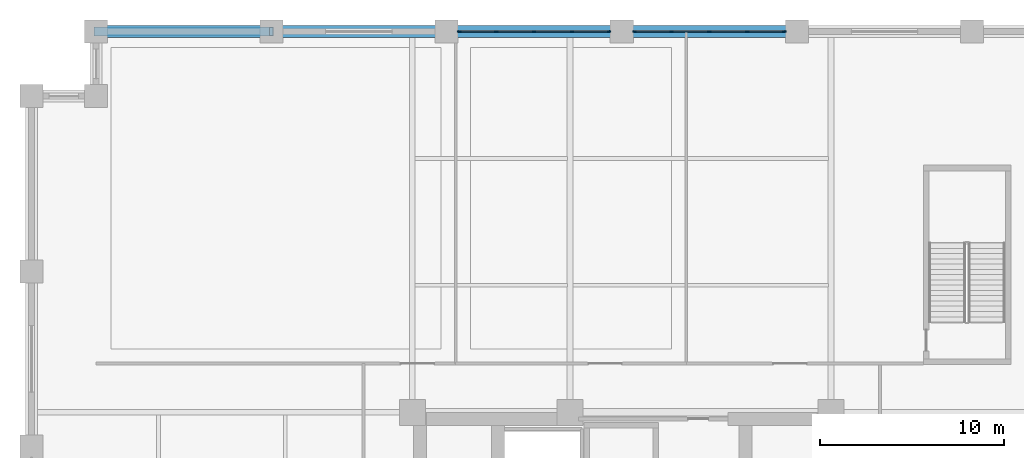
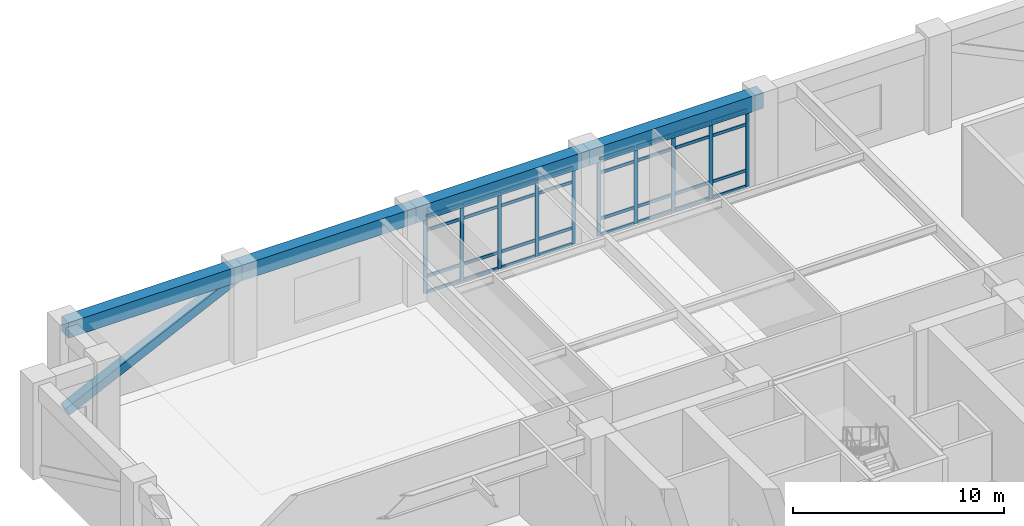
# One storey, part 9 of 21: 43 members, 4 beams, 2 elements without a shape of their own.
"""IFC4 building model written with IfcOpenShell, lengths in metres."""

import ifcopenshell
import ifcopenshell.guid

model = None  # the IFC model being written
_history = None  # IfcOwnerHistory: only IFC2X3 demands one
_inside = {}  # id of a spatial element -> (the spatial element, [elements in it])
_under = {}  # id of a project, library or spatial element -> (it, [spatial elements below it])
_declared = {}  # id of a project -> (the project, [libraries it declares])
_typed = {}  # id of a type object -> (the type object, [elements of that type])
_made_of = {}  # id of a material, layer set ... -> (it, [elements and type objects made of it])


def new_model(schema):
    """Start an empty IFC model of exactly this schema.

    Asked for "IFC4X3", IfcOpenShell would pick the latest addendum, in which some entities
    have other attributes; the version numbers below select the first issue.
    IFC2X3 requires an IfcOwnerHistory on every rooted entity: one is made here for all.
    """
    global model, _history
    if schema == "IFC4X3":
        model = ifcopenshell.file(schema_version=(4, 3, 0, 0))
    else:
        model = ifcopenshell.file(schema=schema)
    _inside.clear()
    _under.clear()
    _declared.clear()
    _typed.clear()
    _made_of.clear()
    _history = None
    if model.schema == "IFC2X3":
        org = make("IfcOrganization", Name="unknown")
        user = make(
            "IfcPersonAndOrganization",
            ThePerson=make("IfcPerson", FamilyName="unknown"),
            TheOrganization=org,
        )
        app = make(
            "IfcApplication",
            ApplicationDeveloper=org,
            Version="unknown",
            ApplicationFullName="unknown",
            ApplicationIdentifier="unknown",
        )
        _history = make(
            "IfcOwnerHistory",
            OwningUser=user,
            OwningApplication=app,
            ChangeAction="ADDED",
            CreationDate=0,
        )
    return model


def make(cls, **values):
    """One entity of the class cls with the attributes given. An attribute that is None is left unset."""
    return model.create_entity(
        cls, **{name: value for name, value in values.items() if value is not None}
    )


def rooted(cls, **values):
    """An entity with a GlobalId (a new one), such as an element, a storey or a relation."""
    return make(cls, GlobalId=ifcopenshell.guid.new(), OwnerHistory=_history, **values)


def si_unit(unit_type, name, prefix=None):
    """IfcSIUnit, for example si_unit("LENGTHUNIT", "METRE", prefix="MILLI")."""
    return make("IfcSIUnit", UnitType=unit_type, Prefix=prefix, Name=name)


def assignment(units):
    """IfcUnitAssignment: the units of a project."""
    return None if units is None else make("IfcUnitAssignment", Units=units)


def point(xyz):
    """IfcCartesianPoint."""
    return None if xyz is None else make("IfcCartesianPoint", Coordinates=xyz)


def direction(xyz):
    """IfcDirection."""
    return None if xyz is None else make("IfcDirection", DirectionRatios=xyz)


def frame(location, z_axis=None, x_axis=None):
    """IfcAxis2Placement3D, a coordinate frame: its origin and axes. An axis left out is left unset."""
    return make(
        "IfcAxis2Placement3D",
        Location=point(location),
        Axis=direction(z_axis),
        RefDirection=direction(x_axis),
    )


def frame_2d(location, x_axis=None):
    """IfcAxis2Placement2D, a coordinate frame in the plane: its origin and x axis."""
    return make(
        "IfcAxis2Placement2D", Location=point(location), RefDirection=direction(x_axis)
    )


def origin():
    """The frame at (0, 0, 0) with its axes left unset."""
    return frame((0.0, 0.0, 0.0))


def origin_2d():
    """The frame at (0, 0) in the plane with its x axis left unset."""
    return frame_2d((0.0, 0.0))


def place(relative_to, where):
    """IfcLocalPlacement: puts the frame where relative to a parent placement (None: the world)."""
    return make(
        "IfcLocalPlacement", PlacementRelTo=relative_to, RelativePlacement=where
    )


def context(
    kind, dimensions, precision=None, world=None, true_north=None, identifier=None
):
    """IfcGeometricRepresentationContext, for example the 3D "Model" context."""
    return make(
        "IfcGeometricRepresentationContext",
        ContextIdentifier=identifier,
        ContextType=kind,
        CoordinateSpaceDimension=dimensions,
        Precision=precision,
        WorldCoordinateSystem=world,
        TrueNorth=true_north,
    )


def subcontext(parent, identifier, kind, view, scale=None):
    """IfcGeometricRepresentationSubContext, for example "Body" below "Model"."""
    return make(
        "IfcGeometricRepresentationSubContext",
        ContextIdentifier=identifier,
        ContextType=kind,
        ParentContext=parent,
        TargetScale=scale,
        TargetView=view,
    )


def project(units=None, contexts=None):
    """IfcProject with its units and contexts."""
    return rooted(
        "IfcProject",
        Name="project",
        RepresentationContexts=contexts,
        UnitsInContext=assignment(units),
    )


def spatial(cls, under=None, at=None, **own):
    """A site, building, storey or space (cls), placed at a placement, below another one or the project."""
    s = rooted(cls, ObjectPlacement=at, **own)
    if under is not None:
        _under.setdefault(under.id(), (under, []))[1].append(s)
    return s


def profile(cls, at=None, kind="AREA", **sizes):
    """A parametric profile (cls). Its sizes go by their IFC names, for example OverallWidth=200.0."""
    return make(cls, ProfileType=kind, Position=at, **sizes)


def rectangle(**sizes):
    """IfcRectangleProfileDef."""
    return profile("IfcRectangleProfileDef", **sizes)


def hollow_rectangle(**sizes):
    """IfcRectangleHollowProfileDef."""
    return profile("IfcRectangleHollowProfileDef", **sizes)


def extrude(swept, where, along, depth):
    """IfcExtrudedAreaSolid: the profile swept, set in the frame where, extruded along a direction by depth."""
    return make(
        "IfcExtrudedAreaSolid",
        SweptArea=swept,
        Position=where,
        ExtrudedDirection=direction(along),
        Depth=depth,
    )


def shape(context_of_items, identifier, shape_type, items):
    """IfcShapeRepresentation: the items that make up one representation, for example the "Body"."""
    return make(
        "IfcShapeRepresentation",
        ContextOfItems=context_of_items,
        RepresentationIdentifier=identifier,
        RepresentationType=shape_type,
        Items=items,
    )


def material(Name=None, Category=None):
    """IfcMaterial."""
    return make("IfcMaterial", Name=Name, Category=Category)


def layer(
    of_material, thickness, ventilated=None, Name=None, Category=None, Priority=None
):
    """IfcMaterialLayer: one layer of a wall or slab, of a material (None: an air gap)."""
    return make(
        "IfcMaterialLayer",
        Material=of_material,
        LayerThickness=thickness,
        IsVentilated=ventilated,
        Name=Name,
        Category=Category,
        Priority=Priority,
    )


def layer_set(layers, Name=None):
    """IfcMaterialLayerSet."""
    return make("IfcMaterialLayerSet", MaterialLayers=layers, LayerSetName=Name)


def material_profile(
    of_material, cross_section, Name=None, Category=None, Priority=None
):
    """IfcMaterialProfile: a cross section and its material."""
    return make(
        "IfcMaterialProfile",
        Name=Name,
        Material=of_material,
        Profile=cross_section,
        Priority=Priority,
        Category=Category,
    )


def profile_set(profiles, Name=None, composite=None):
    """IfcMaterialProfileSet."""
    return make(
        "IfcMaterialProfileSet",
        Name=Name,
        MaterialProfiles=profiles,
        CompositeProfile=composite,
    )


def made_of(thing, what):
    """Note that an element or type object is made of a material, layer set ...; save() writes the relation."""
    if what is not None:
        _made_of.setdefault(what.id(), (what, []))[1].append(thing)
    return thing


def type_object(cls, material=None, **own):
    """A type object (cls), such as IfcWallType, which elements share."""
    return made_of(rooted(cls, **own), material)


def element(
    cls,
    number,
    at=None,
    inside=None,
    cuts=None,
    type_object=None,
    material=None,
    context=None,
    identifier="Body",
    shape_type=None,
    held_by="IfcProductDefinitionShape",
    body=None,
    shapes=None,
    **own,
):
    """One element of the class cls, such as IfcWall. Its Tag is "e" and its number.

    at: its placement. inside: the storey or other place that contains it. cuts: it is an
    opening in that element (IfcRelVoidsElement). A single representation is given by context,
    identifier, shape_type and body (its items); several are given by shapes. held_by: the class
    of the entity that holds the representations. save() writes the other relations.
    """
    e = rooted(cls, Tag="e%d" % number, ObjectPlacement=at, **own)
    if body is not None:
        shapes = [shape(context, identifier, shape_type, body)]
    if shapes is not None:
        e.Representation = make(held_by, Representations=shapes)
    if inside is not None:
        _inside.setdefault(inside.id(), (inside, []))[1].append(e)
    if cuts is not None:
        rooted(
            "IfcRelVoidsElement", RelatingBuildingElement=cuts, RelatedOpeningElement=e
        )
    if type_object is not None:
        _typed.setdefault(type_object.id(), (type_object, []))[1].append(e)
    return made_of(e, material)


def aggregate(whole, parts):
    """IfcRelAggregates: a whole, such as a stair, and the parts it consists of."""
    return rooted("IfcRelAggregates", RelatingObject=whole, RelatedObjects=parts)


def save(model, path):
    """Write the relations noted so far, then the file.

    IfcRelAggregates (storeys below a building ...), IfcRelContainedInSpatialStructure (elements
    in a storey), IfcRelDefinesByType, IfcRelAssociatesMaterial and IfcRelDeclares: one each for
    every whole, place, type object, material and project.
    """
    for whole, parts in _under.values():
        aggregate(whole, parts)
    for where, things in _inside.values():
        rooted(
            "IfcRelContainedInSpatialStructure",
            RelatedElements=things,
            RelatingStructure=where,
        )
    for kind, things in _typed.values():
        rooted("IfcRelDefinesByType", RelatedObjects=things, RelatingType=kind)
    for what, things in _made_of.values():
        rooted("IfcRelAssociatesMaterial", RelatedObjects=things, RelatingMaterial=what)
    for by, libraries in _declared.values():
        rooted("IfcRelDeclares", RelatingContext=by, RelatedDefinitions=libraries)
    model.write(path)


model = new_model("IFC4")

# Units and contexts
model_context = context("Model", 3, precision=1e-05, world=origin(), true_north=direction((0.0, 1.0)))
body_context = subcontext(model_context, "Body", "Model", "MODEL_VIEW")
ifc_project = project(units=[si_unit("LENGTHUNIT", "METRE"), si_unit("AREAUNIT", "SQUARE_METRE"), si_unit("VOLUMEUNIT", "CUBIC_METRE"), si_unit("PLANEANGLEUNIT", "RADIAN"), si_unit("MASSUNIT", "GRAM", prefix="KILO")], contexts=[model_context])

# Site, building, storey
site_placement = place(None, origin())
site = spatial("IfcSite", under=ifc_project, at=site_placement, CompositionType="ELEMENT")
building_placement = place(site_placement, origin())
building = spatial("IfcBuilding", under=site, at=building_placement, Name="Nhamokura Convention Tower", CompositionType="ELEMENT")
storey_placement = place(building_placement, frame((0.0, 0.0, 6.64990234375)))
storey = spatial("IfcBuildingStorey", under=building, at=storey_placement, Name="L01", CompositionType="ELEMENT", Elevation=6.64990234375)

# Curtain wall, members
ifc_material_1 = material(Name="Anodised bronze aluminium AA6063-T6", Category="aluminium")
ifc_layer = layer(ifc_material_1, 0.179931640625)
ifc_layer_set = layer_set([ifc_layer], Name="CWSystem_PodiumConcourse")
curtain_wall_type = type_object("IfcCurtainWallType", Name="CWSystem_PodiumConcourse", PredefinedType="NOTDEFINED", material=ifc_layer_set)
curtain_wall_1_placement = place(storey_placement, origin())
curtain_wall_1 = element("IfcCurtainWall", 1, at=curtain_wall_1_placement, inside=storey, type_object=curtain_wall_type, Name="L01 Curtain Wall ENV-L01-CW-N2", PredefinedType="NOTDEFINED")
ifc_material_2 = material(Name="Anodised bronze aluminium AA6063-T6", Category="aluminium")
ifc_material_profile_1 = material_profile(ifc_material_2, rectangle(XDim=0.077880859375, YDim=0.201904296875, at=origin_2d()))
ifc_profile_set_1 = profile_set([ifc_material_profile_1], Name="Anodised bronze aluminium AA6063-T6")
member_type_1 = type_object("IfcMemberType", Name="CWMullion_1", PredefinedType="MULLION", material=ifc_profile_set_1)
member_1_placement = place(storey_placement, frame((23.18896484375, 64.0, 0.0), z_axis=(0.0, 0.0, 1.0), x_axis=(0.0, 1.0, 0.0)))
member_1 = element("IfcMember", 2, at=member_1_placement, type_object=member_type_1, Name="CW-01 mullion 1", PredefinedType="MULLION", context=body_context, shape_type="SweptSolid", body=[
    extrude(rectangle(XDim=0.077880859375, YDim=0.201904296875, at=origin_2d()), origin(), (0.0, 0.0, 1.0), 4.460205078125),
])
member_2_placement = place(storey_placement, frame((25.199951171875, 64.0, 0.0), z_axis=(0.0, 0.0, 1.0), x_axis=(0.0, 1.0, 0.0)))
member_2 = element("IfcMember", 3, at=member_2_placement, type_object=member_type_1, Name="CW-01 mullion 2", PredefinedType="MULLION", context=body_context, shape_type="SweptSolid", body=[
    extrude(rectangle(XDim=0.077880859375, YDim=0.201904296875, at=origin_2d()), origin(), (0.0, 0.0, 1.0), 4.460205078125),
])
member_3_placement = place(storey_placement, frame((27.25, 64.0, 0.0), z_axis=(0.0, 0.0, 1.0), x_axis=(0.0, 1.0, 0.0)))
member_3 = element("IfcMember", 4, at=member_3_placement, type_object=member_type_1, Name="CW-01 mullion 3", PredefinedType="MULLION", context=body_context, shape_type="SweptSolid", body=[
    extrude(rectangle(XDim=0.077880859375, YDim=0.201904296875, at=origin_2d()), origin(), (0.0, 0.0, 1.0), 4.460205078125),
])
member_4_placement = place(storey_placement, frame((29.300048828125, 64.0, 0.0), z_axis=(0.0, 0.0, 1.0), x_axis=(0.0, 1.0, 0.0)))
member_4 = element("IfcMember", 5, at=member_4_placement, type_object=member_type_1, Name="CW-01 mullion 4", PredefinedType="MULLION", context=body_context, shape_type="SweptSolid", body=[
    extrude(rectangle(XDim=0.077880859375, YDim=0.201904296875, at=origin_2d()), origin(), (0.0, 0.0, 1.0), 4.460205078125),
])
member_5_placement = place(storey_placement, frame((31.31103515625, 64.0, 0.0), z_axis=(0.0, 0.0, 1.0), x_axis=(0.0, 1.0, 0.0)))
member_5 = element("IfcMember", 6, at=member_5_placement, type_object=member_type_1, Name="CW-01 mullion 5", PredefinedType="MULLION", context=body_context, shape_type="SweptSolid", body=[
    extrude(rectangle(XDim=0.077880859375, YDim=0.201904296875, at=origin_2d()), origin(), (0.0, 0.0, 1.0), 4.460205078125),
])

curtain_wall_2_placement = place(storey_placement, origin())
curtain_wall_2 = element("IfcCurtainWall", 7, at=curtain_wall_2_placement, inside=storey, type_object=curtain_wall_type, Name="L01 Curtain Wall ENV-L01-CW-N3", PredefinedType="NOTDEFINED")
member_6_placement = place(storey_placement, frame((32.68896484375, 64.0, 0.0), z_axis=(0.0, 0.0, 1.0), x_axis=(0.0, 1.0, 0.0)))
member_6 = element("IfcMember", 8, at=member_6_placement, type_object=member_type_1, Name="CW-01 mullion 1", PredefinedType="MULLION", context=body_context, shape_type="SweptSolid", body=[
    extrude(rectangle(XDim=0.077880859375, YDim=0.201904296875, at=origin_2d()), origin(), (0.0, 0.0, 1.0), 4.460205078125),
])
member_7_placement = place(storey_placement, frame((34.699951171875, 64.0, 0.0), z_axis=(0.0, 0.0, 1.0), x_axis=(0.0, 1.0, 0.0)))
member_7 = element("IfcMember", 9, at=member_7_placement, type_object=member_type_1, Name="CW-01 mullion 2", PredefinedType="MULLION", context=body_context, shape_type="SweptSolid", body=[
    extrude(rectangle(XDim=0.077880859375, YDim=0.201904296875, at=origin_2d()), origin(), (0.0, 0.0, 1.0), 4.460205078125),
])
member_8_placement = place(storey_placement, frame((36.75, 64.0, 0.0), z_axis=(0.0, 0.0, 1.0), x_axis=(0.0, 1.0, 0.0)))
member_8 = element("IfcMember", 10, at=member_8_placement, type_object=member_type_1, Name="CW-01 mullion 3", PredefinedType="MULLION", context=body_context, shape_type="SweptSolid", body=[
    extrude(rectangle(XDim=0.077880859375, YDim=0.201904296875, at=origin_2d()), origin(), (0.0, 0.0, 1.0), 4.460205078125),
])
member_9_placement = place(storey_placement, frame((38.800048828125, 64.0, 0.0), z_axis=(0.0, 0.0, 1.0), x_axis=(0.0, 1.0, 0.0)))
member_9 = element("IfcMember", 11, at=member_9_placement, type_object=member_type_1, Name="CW-01 mullion 4", PredefinedType="MULLION", context=body_context, shape_type="SweptSolid", body=[
    extrude(rectangle(XDim=0.077880859375, YDim=0.201904296875, at=origin_2d()), origin(), (0.0, 0.0, 1.0), 4.460205078125),
])
member_10_placement = place(storey_placement, frame((40.81103515625, 64.0, 0.0), z_axis=(0.0, 0.0, 1.0), x_axis=(0.0, 1.0, 0.0)))
member_10 = element("IfcMember", 12, at=member_10_placement, type_object=member_type_1, Name="CW-01 mullion 5", PredefinedType="MULLION", context=body_context, shape_type="SweptSolid", body=[
    extrude(rectangle(XDim=0.077880859375, YDim=0.201904296875, at=origin_2d()), origin(), (0.0, 0.0, 1.0), 4.460205078125),
])

# Member
ifc_material_3 = material(Name="Anodised bronze aluminium AA6063-T6", Category="aluminium")
ifc_material_profile_2 = material_profile(ifc_material_3, rectangle(XDim=0.077880859375, YDim=0.172119140625, at=origin_2d()))
ifc_profile_set_2 = profile_set([ifc_material_profile_2], Name="Anodised bronze aluminium AA6063-T6")
member_type_2 = type_object("IfcMemberType", Name="CWTransom_1", PredefinedType="USERDEFINED", material=ifc_profile_set_2)
member_11_placement = place(storey_placement, frame((23.22802734375, 64.0, 0.0390625), z_axis=(1.0, 0.0, 0.0), x_axis=(0.0, 1.0, 0.0)))
member_11 = element("IfcMember", 13, at=member_11_placement, type_object=member_type_2, Name="CW-01 transom 1.1", ObjectType="TRANSOM", PredefinedType="USERDEFINED", context=body_context, shape_type="SweptSolid", body=[
    extrude(rectangle(XDim=0.077880859375, YDim=0.172119140625, at=origin_2d()), origin(), (0.0, 0.0, 1.0), 1.932861328125),
])

member_12_placement = place(storey_placement, frame((23.22802734375, 64.0, 0.9501953125), z_axis=(1.0, 0.0, 0.0), x_axis=(0.0, 1.0, 0.0)))
member_12 = element("IfcMember", 14, at=member_12_placement, type_object=member_type_2, Name="CW-01 transom 1.2", ObjectType="TRANSOM", PredefinedType="USERDEFINED", context=body_context, shape_type="SweptSolid", body=[
    extrude(rectangle(XDim=0.077880859375, YDim=0.172119140625, at=origin_2d()), origin(), (0.0, 0.0, 1.0), 1.932861328125),
])

member_13_placement = place(storey_placement, frame((23.22802734375, 64.0, 3.610107421875), z_axis=(1.0, 0.0, 0.0), x_axis=(0.0, 1.0, 0.0)))
member_13 = element("IfcMember", 15, at=member_13_placement, type_object=member_type_2, Name="CW-01 transom 1.3", ObjectType="TRANSOM", PredefinedType="USERDEFINED", context=body_context, shape_type="SweptSolid", body=[
    extrude(rectangle(XDim=0.077880859375, YDim=0.172119140625, at=origin_2d()), origin(), (0.0, 0.0, 1.0), 1.932861328125),
])

member_14_placement = place(storey_placement, frame((23.22802734375, 64.0, 4.421142578125), z_axis=(1.0, 0.0, 0.0), x_axis=(0.0, 1.0, 0.0)))
member_14 = element("IfcMember", 16, at=member_14_placement, type_object=member_type_2, Name="CW-01 transom 1.4", ObjectType="TRANSOM", PredefinedType="USERDEFINED", context=body_context, shape_type="SweptSolid", body=[
    extrude(rectangle(XDim=0.077880859375, YDim=0.172119140625, at=origin_2d()), origin(), (0.0, 0.0, 1.0), 1.932861328125),
])

member_15_placement = place(storey_placement, frame((25.239013671875, 64.0, 0.0390625), z_axis=(1.0, 0.0, 0.0), x_axis=(0.0, 1.0, 0.0)))
member_15 = element("IfcMember", 17, at=member_15_placement, type_object=member_type_2, Name="CW-01 transom 2.1", ObjectType="TRANSOM", PredefinedType="USERDEFINED", context=body_context, shape_type="SweptSolid", body=[
    extrude(rectangle(XDim=0.077880859375, YDim=0.172119140625, at=origin_2d()), origin(), (0.0, 0.0, 1.0), 1.971923828125),
])

member_16_placement = place(storey_placement, frame((25.239013671875, 64.0, 0.9501953125), z_axis=(1.0, 0.0, 0.0), x_axis=(0.0, 1.0, 0.0)))
member_16 = element("IfcMember", 18, at=member_16_placement, type_object=member_type_2, Name="CW-01 transom 2.2", ObjectType="TRANSOM", PredefinedType="USERDEFINED", context=body_context, shape_type="SweptSolid", body=[
    extrude(rectangle(XDim=0.077880859375, YDim=0.172119140625, at=origin_2d()), origin(), (0.0, 0.0, 1.0), 1.971923828125),
])

member_17_placement = place(storey_placement, frame((25.239013671875, 64.0, 3.610107421875), z_axis=(1.0, 0.0, 0.0), x_axis=(0.0, 1.0, 0.0)))
member_17 = element("IfcMember", 19, at=member_17_placement, type_object=member_type_2, Name="CW-01 transom 2.3", ObjectType="TRANSOM", PredefinedType="USERDEFINED", context=body_context, shape_type="SweptSolid", body=[
    extrude(rectangle(XDim=0.077880859375, YDim=0.172119140625, at=origin_2d()), origin(), (0.0, 0.0, 1.0), 1.971923828125),
])

member_18_placement = place(storey_placement, frame((25.239013671875, 64.0, 4.421142578125), z_axis=(1.0, 0.0, 0.0), x_axis=(0.0, 1.0, 0.0)))
member_18 = element("IfcMember", 20, at=member_18_placement, type_object=member_type_2, Name="CW-01 transom 2.4", ObjectType="TRANSOM", PredefinedType="USERDEFINED", context=body_context, shape_type="SweptSolid", body=[
    extrude(rectangle(XDim=0.077880859375, YDim=0.172119140625, at=origin_2d()), origin(), (0.0, 0.0, 1.0), 1.971923828125),
])

member_19_placement = place(storey_placement, frame((27.2890625, 64.0, 0.0390625), z_axis=(1.0, 0.0, 0.0), x_axis=(0.0, 1.0, 0.0)))
member_19 = element("IfcMember", 21, at=member_19_placement, type_object=member_type_2, Name="CW-01 transom 3.1", ObjectType="TRANSOM", PredefinedType="USERDEFINED", context=body_context, shape_type="SweptSolid", body=[
    extrude(rectangle(XDim=0.077880859375, YDim=0.172119140625, at=origin_2d()), origin(), (0.0, 0.0, 1.0), 1.971923828125),
])

member_20_placement = place(storey_placement, frame((27.2890625, 64.0, 0.9501953125), z_axis=(1.0, 0.0, 0.0), x_axis=(0.0, 1.0, 0.0)))
member_20 = element("IfcMember", 22, at=member_20_placement, type_object=member_type_2, Name="CW-01 transom 3.2", ObjectType="TRANSOM", PredefinedType="USERDEFINED", context=body_context, shape_type="SweptSolid", body=[
    extrude(rectangle(XDim=0.077880859375, YDim=0.172119140625, at=origin_2d()), origin(), (0.0, 0.0, 1.0), 1.971923828125),
])

member_21_placement = place(storey_placement, frame((27.2890625, 64.0, 3.610107421875), z_axis=(1.0, 0.0, 0.0), x_axis=(0.0, 1.0, 0.0)))
member_21 = element("IfcMember", 23, at=member_21_placement, type_object=member_type_2, Name="CW-01 transom 3.3", ObjectType="TRANSOM", PredefinedType="USERDEFINED", context=body_context, shape_type="SweptSolid", body=[
    extrude(rectangle(XDim=0.077880859375, YDim=0.172119140625, at=origin_2d()), origin(), (0.0, 0.0, 1.0), 1.971923828125),
])

member_22_placement = place(storey_placement, frame((27.2890625, 64.0, 4.421142578125), z_axis=(1.0, 0.0, 0.0), x_axis=(0.0, 1.0, 0.0)))
member_22 = element("IfcMember", 24, at=member_22_placement, type_object=member_type_2, Name="CW-01 transom 3.4", ObjectType="TRANSOM", PredefinedType="USERDEFINED", context=body_context, shape_type="SweptSolid", body=[
    extrude(rectangle(XDim=0.077880859375, YDim=0.172119140625, at=origin_2d()), origin(), (0.0, 0.0, 1.0), 1.971923828125),
])

member_23_placement = place(storey_placement, frame((29.339111328125, 64.0, 0.0390625), z_axis=(1.0, 0.0, 0.0), x_axis=(0.0, 1.0, 0.0)))
member_23 = element("IfcMember", 25, at=member_23_placement, type_object=member_type_2, Name="CW-01 transom 4.1", ObjectType="TRANSOM", PredefinedType="USERDEFINED", context=body_context, shape_type="SweptSolid", body=[
    extrude(rectangle(XDim=0.077880859375, YDim=0.172119140625, at=origin_2d()), origin(), (0.0, 0.0, 1.0), 1.932861328125),
])

member_24_placement = place(storey_placement, frame((29.339111328125, 64.0, 0.9501953125), z_axis=(1.0, 0.0, 0.0), x_axis=(0.0, 1.0, 0.0)))
member_24 = element("IfcMember", 26, at=member_24_placement, type_object=member_type_2, Name="CW-01 transom 4.2", ObjectType="TRANSOM", PredefinedType="USERDEFINED", context=body_context, shape_type="SweptSolid", body=[
    extrude(rectangle(XDim=0.077880859375, YDim=0.172119140625, at=origin_2d()), origin(), (0.0, 0.0, 1.0), 1.932861328125),
])

member_25_placement = place(storey_placement, frame((29.339111328125, 64.0, 3.610107421875), z_axis=(1.0, 0.0, 0.0), x_axis=(0.0, 1.0, 0.0)))
member_25 = element("IfcMember", 27, at=member_25_placement, type_object=member_type_2, Name="CW-01 transom 4.3", ObjectType="TRANSOM", PredefinedType="USERDEFINED", context=body_context, shape_type="SweptSolid", body=[
    extrude(rectangle(XDim=0.077880859375, YDim=0.172119140625, at=origin_2d()), origin(), (0.0, 0.0, 1.0), 1.932861328125),
])

member_26_placement = place(storey_placement, frame((29.339111328125, 64.0, 4.421142578125), z_axis=(1.0, 0.0, 0.0), x_axis=(0.0, 1.0, 0.0)))
member_26 = element("IfcMember", 28, at=member_26_placement, type_object=member_type_2, Name="CW-01 transom 4.4", ObjectType="TRANSOM", PredefinedType="USERDEFINED", context=body_context, shape_type="SweptSolid", body=[
    extrude(rectangle(XDim=0.077880859375, YDim=0.172119140625, at=origin_2d()), origin(), (0.0, 0.0, 1.0), 1.932861328125),
])

aggregate(curtain_wall_1, [member_1, member_2, member_3, member_4, member_5, member_11, member_12, member_13, member_14, member_15, member_16, member_17, member_18, member_19, member_20, member_21, member_22, member_23, member_24, member_25, member_26])

member_27_placement = place(storey_placement, frame((32.72802734375, 64.0, 0.0390625), z_axis=(1.0, 0.0, 0.0), x_axis=(0.0, 1.0, 0.0)))
member_27 = element("IfcMember", 29, at=member_27_placement, type_object=member_type_2, Name="CW-01 transom 1.1", ObjectType="TRANSOM", PredefinedType="USERDEFINED", context=body_context, shape_type="SweptSolid", body=[
    extrude(rectangle(XDim=0.077880859375, YDim=0.172119140625, at=origin_2d()), origin(), (0.0, 0.0, 1.0), 1.932861328125),
])

member_28_placement = place(storey_placement, frame((32.72802734375, 64.0, 0.9501953125), z_axis=(1.0, 0.0, 0.0), x_axis=(0.0, 1.0, 0.0)))
member_28 = element("IfcMember", 30, at=member_28_placement, type_object=member_type_2, Name="CW-01 transom 1.2", ObjectType="TRANSOM", PredefinedType="USERDEFINED", context=body_context, shape_type="SweptSolid", body=[
    extrude(rectangle(XDim=0.077880859375, YDim=0.172119140625, at=origin_2d()), origin(), (0.0, 0.0, 1.0), 1.932861328125),
])

member_29_placement = place(storey_placement, frame((32.72802734375, 64.0, 3.610107421875), z_axis=(1.0, 0.0, 0.0), x_axis=(0.0, 1.0, 0.0)))
member_29 = element("IfcMember", 31, at=member_29_placement, type_object=member_type_2, Name="CW-01 transom 1.3", ObjectType="TRANSOM", PredefinedType="USERDEFINED", context=body_context, shape_type="SweptSolid", body=[
    extrude(rectangle(XDim=0.077880859375, YDim=0.172119140625, at=origin_2d()), origin(), (0.0, 0.0, 1.0), 1.932861328125),
])

member_30_placement = place(storey_placement, frame((32.72802734375, 64.0, 4.421142578125), z_axis=(1.0, 0.0, 0.0), x_axis=(0.0, 1.0, 0.0)))
member_30 = element("IfcMember", 32, at=member_30_placement, type_object=member_type_2, Name="CW-01 transom 1.4", ObjectType="TRANSOM", PredefinedType="USERDEFINED", context=body_context, shape_type="SweptSolid", body=[
    extrude(rectangle(XDim=0.077880859375, YDim=0.172119140625, at=origin_2d()), origin(), (0.0, 0.0, 1.0), 1.932861328125),
])

member_31_placement = place(storey_placement, frame((34.739013671875, 64.0, 0.0390625), z_axis=(1.0, 0.0, 0.0), x_axis=(0.0, 1.0, 0.0)))
member_31 = element("IfcMember", 33, at=member_31_placement, type_object=member_type_2, Name="CW-01 transom 2.1", ObjectType="TRANSOM", PredefinedType="USERDEFINED", context=body_context, shape_type="SweptSolid", body=[
    extrude(rectangle(XDim=0.077880859375, YDim=0.172119140625, at=origin_2d()), origin(), (0.0, 0.0, 1.0), 1.971923828125),
])

member_32_placement = place(storey_placement, frame((34.739013671875, 64.0, 0.9501953125), z_axis=(1.0, 0.0, 0.0), x_axis=(0.0, 1.0, 0.0)))
member_32 = element("IfcMember", 34, at=member_32_placement, type_object=member_type_2, Name="CW-01 transom 2.2", ObjectType="TRANSOM", PredefinedType="USERDEFINED", context=body_context, shape_type="SweptSolid", body=[
    extrude(rectangle(XDim=0.077880859375, YDim=0.172119140625, at=origin_2d()), origin(), (0.0, 0.0, 1.0), 1.971923828125),
])

member_33_placement = place(storey_placement, frame((34.739013671875, 64.0, 3.610107421875), z_axis=(1.0, 0.0, 0.0), x_axis=(0.0, 1.0, 0.0)))
member_33 = element("IfcMember", 35, at=member_33_placement, type_object=member_type_2, Name="CW-01 transom 2.3", ObjectType="TRANSOM", PredefinedType="USERDEFINED", context=body_context, shape_type="SweptSolid", body=[
    extrude(rectangle(XDim=0.077880859375, YDim=0.172119140625, at=origin_2d()), origin(), (0.0, 0.0, 1.0), 1.971923828125),
])

member_34_placement = place(storey_placement, frame((34.739013671875, 64.0, 4.421142578125), z_axis=(1.0, 0.0, 0.0), x_axis=(0.0, 1.0, 0.0)))
member_34 = element("IfcMember", 36, at=member_34_placement, type_object=member_type_2, Name="CW-01 transom 2.4", ObjectType="TRANSOM", PredefinedType="USERDEFINED", context=body_context, shape_type="SweptSolid", body=[
    extrude(rectangle(XDim=0.077880859375, YDim=0.172119140625, at=origin_2d()), origin(), (0.0, 0.0, 1.0), 1.971923828125),
])

member_35_placement = place(storey_placement, frame((36.7890625, 64.0, 0.0390625), z_axis=(1.0, 0.0, 0.0), x_axis=(0.0, 1.0, 0.0)))
member_35 = element("IfcMember", 37, at=member_35_placement, type_object=member_type_2, Name="CW-01 transom 3.1", ObjectType="TRANSOM", PredefinedType="USERDEFINED", context=body_context, shape_type="SweptSolid", body=[
    extrude(rectangle(XDim=0.077880859375, YDim=0.172119140625, at=origin_2d()), origin(), (0.0, 0.0, 1.0), 1.971923828125),
])

member_36_placement = place(storey_placement, frame((36.7890625, 64.0, 0.9501953125), z_axis=(1.0, 0.0, 0.0), x_axis=(0.0, 1.0, 0.0)))
member_36 = element("IfcMember", 38, at=member_36_placement, type_object=member_type_2, Name="CW-01 transom 3.2", ObjectType="TRANSOM", PredefinedType="USERDEFINED", context=body_context, shape_type="SweptSolid", body=[
    extrude(rectangle(XDim=0.077880859375, YDim=0.172119140625, at=origin_2d()), origin(), (0.0, 0.0, 1.0), 1.971923828125),
])

member_37_placement = place(storey_placement, frame((36.7890625, 64.0, 3.610107421875), z_axis=(1.0, 0.0, 0.0), x_axis=(0.0, 1.0, 0.0)))
member_37 = element("IfcMember", 39, at=member_37_placement, type_object=member_type_2, Name="CW-01 transom 3.3", ObjectType="TRANSOM", PredefinedType="USERDEFINED", context=body_context, shape_type="SweptSolid", body=[
    extrude(rectangle(XDim=0.077880859375, YDim=0.172119140625, at=origin_2d()), origin(), (0.0, 0.0, 1.0), 1.971923828125),
])

member_38_placement = place(storey_placement, frame((36.7890625, 64.0, 4.421142578125), z_axis=(1.0, 0.0, 0.0), x_axis=(0.0, 1.0, 0.0)))
member_38 = element("IfcMember", 40, at=member_38_placement, type_object=member_type_2, Name="CW-01 transom 3.4", ObjectType="TRANSOM", PredefinedType="USERDEFINED", context=body_context, shape_type="SweptSolid", body=[
    extrude(rectangle(XDim=0.077880859375, YDim=0.172119140625, at=origin_2d()), origin(), (0.0, 0.0, 1.0), 1.971923828125),
])

member_39_placement = place(storey_placement, frame((38.839111328125, 64.0, 0.0390625), z_axis=(1.0, 0.0, 0.0), x_axis=(0.0, 1.0, 0.0)))
member_39 = element("IfcMember", 41, at=member_39_placement, type_object=member_type_2, Name="CW-01 transom 4.1", ObjectType="TRANSOM", PredefinedType="USERDEFINED", context=body_context, shape_type="SweptSolid", body=[
    extrude(rectangle(XDim=0.077880859375, YDim=0.172119140625, at=origin_2d()), origin(), (0.0, 0.0, 1.0), 1.932861328125),
])

member_40_placement = place(storey_placement, frame((38.839111328125, 64.0, 0.9501953125), z_axis=(1.0, 0.0, 0.0), x_axis=(0.0, 1.0, 0.0)))
member_40 = element("IfcMember", 42, at=member_40_placement, type_object=member_type_2, Name="CW-01 transom 4.2", ObjectType="TRANSOM", PredefinedType="USERDEFINED", context=body_context, shape_type="SweptSolid", body=[
    extrude(rectangle(XDim=0.077880859375, YDim=0.172119140625, at=origin_2d()), origin(), (0.0, 0.0, 1.0), 1.932861328125),
])

member_41_placement = place(storey_placement, frame((38.839111328125, 64.0, 3.610107421875), z_axis=(1.0, 0.0, 0.0), x_axis=(0.0, 1.0, 0.0)))
member_41 = element("IfcMember", 43, at=member_41_placement, type_object=member_type_2, Name="CW-01 transom 4.3", ObjectType="TRANSOM", PredefinedType="USERDEFINED", context=body_context, shape_type="SweptSolid", body=[
    extrude(rectangle(XDim=0.077880859375, YDim=0.172119140625, at=origin_2d()), origin(), (0.0, 0.0, 1.0), 1.932861328125),
])

member_42_placement = place(storey_placement, frame((38.839111328125, 64.0, 4.421142578125), z_axis=(1.0, 0.0, 0.0), x_axis=(0.0, 1.0, 0.0)))
member_42 = element("IfcMember", 44, at=member_42_placement, type_object=member_type_2, Name="CW-01 transom 4.4", ObjectType="TRANSOM", PredefinedType="USERDEFINED", context=body_context, shape_type="SweptSolid", body=[
    extrude(rectangle(XDim=0.077880859375, YDim=0.172119140625, at=origin_2d()), origin(), (0.0, 0.0, 1.0), 1.932861328125),
])

aggregate(curtain_wall_2, [member_6, member_7, member_8, member_9, member_10, member_27, member_28, member_29, member_30, member_31, member_32, member_33, member_34, member_35, member_36, member_37, member_38, member_39, member_40, member_41, member_42])

ifc_material_4 = material(Name="Steel ASTM A572 Gr 50", Category="steel")
ifc_material_profile_3 = material_profile(ifc_material_4, hollow_rectangle(XDim=0.5, YDim=0.5, WallThickness=0.02490234375, at=origin_2d()))
ifc_profile_set_3 = profile_set([ifc_material_profile_3], Name="Steel ASTM A572 Gr 50")
member_type_3 = type_object("IfcMemberType", Name="TubeBrace_HSS500", PredefinedType="BRACE", material=ifc_profile_set_3)
member_43_placement = place(storey_placement, frame((3.5, 64.0, 0.150146484375), z_axis=(0.901520888263, 0.0, 0.432735586734), x_axis=(0.0, 1.0, 0.0)))
element("IfcMember", 45, at=member_43_placement, inside=storey, type_object=member_type_3, Name="L01 Perimeter Tube Brace NORTH Bay 0", PredefinedType="BRACE", context=body_context, shape_type="SweptSolid", body=[
    extrude(hollow_rectangle(XDim=0.5, YDim=0.5, WallThickness=0.02490234375, at=origin_2d()), origin(), (0.0, 0.0, 1.0), 10.537841796875),
])

# Beams
ifc_material_5 = material(Name="Concrete C60/75", Category="concrete")
ifc_material_profile_4 = material_profile(ifc_material_5, rectangle(XDim=0.64990234375, YDim=0.89990234375, at=origin_2d()))
ifc_profile_set_4 = profile_set([ifc_material_profile_4], Name="Concrete C60/75")
beam_type = type_object("IfcBeamType", Name="TubeSpandrel_900", PredefinedType="SPANDREL", material=ifc_profile_set_4)
for number, where, z_axis, x_axis, name in (
    (46, (3.5, 64.0, 4.91015625), (1.0, 0.0, 0.0), (0.0, 1.0, 0.0), "L01 Perimeter Spandrel NORTH 1"),
    (47, (13.0, 64.0, 4.91015625), (1.0, 0.0, 0.0), (0.0, 1.0, 0.0), "L01 Perimeter Spandrel NORTH 2"),
    (48, (22.5, 64.0, 4.91015625), (1.0, 0.0, 0.0), (0.0, 1.0, 0.0), "L01 Perimeter Spandrel NORTH 3"),
    (49, (32.0, 64.0, 4.91015625), (1.0, 0.0, 0.0), (0.0, 1.0, 0.0), "L01 Perimeter Spandrel NORTH 4"),
):
    element("IfcBeam", number, at=place(storey_placement, frame(where, z_axis=z_axis, x_axis=x_axis)), inside=storey, type_object=beam_type, Name=name, PredefinedType="SPANDREL", context=body_context, shape_type="SweptSolid", body=[
        extrude(rectangle(XDim=0.64990234375, YDim=0.89990234375, at=origin_2d()), origin(), (0.0, 0.0, 1.0), 9.5),
    ])

save(model, "model.ifc")
